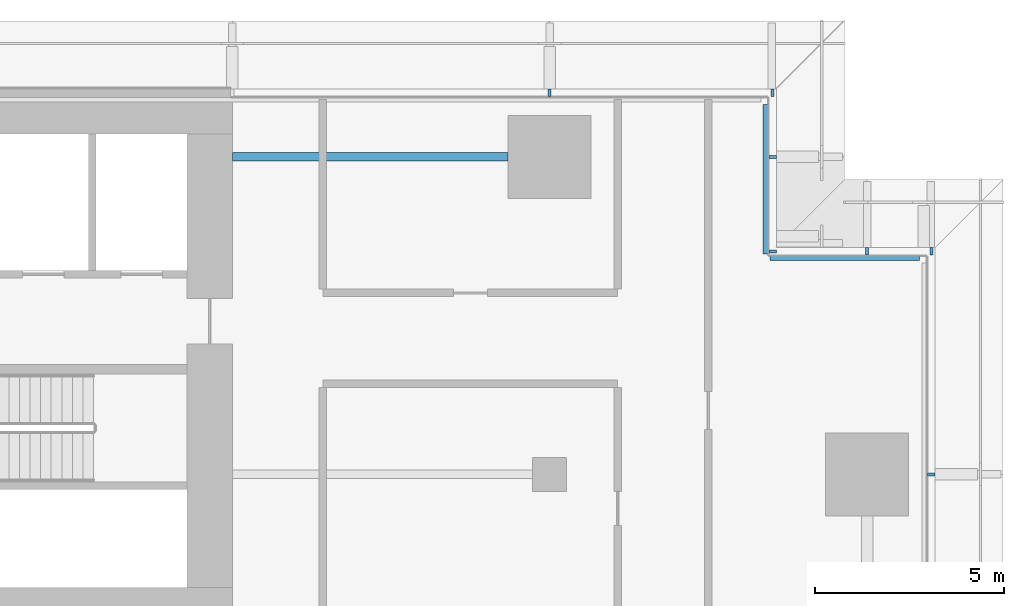
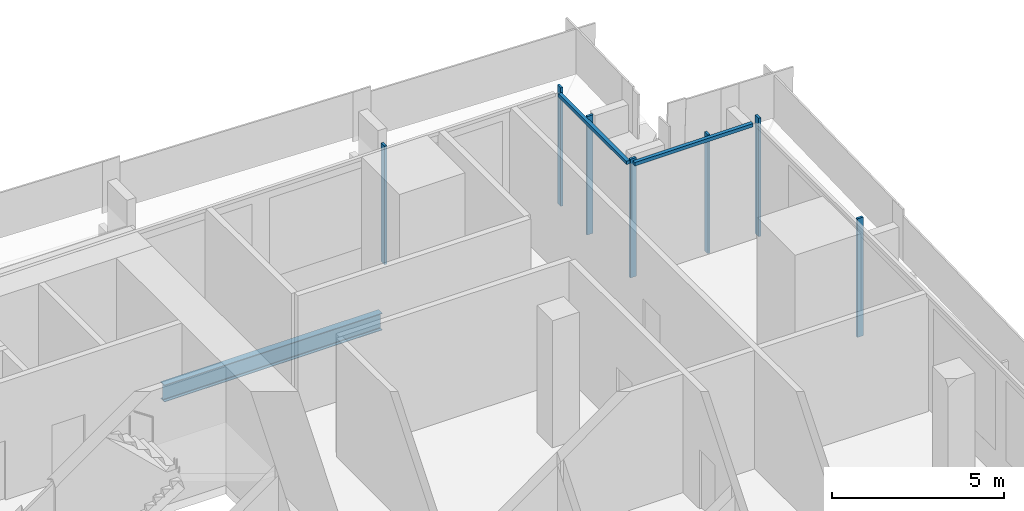
# One storey, part 10 of 23: 9 members, 1 beam, 4 elements without a shape of their own.
"""IFC4 building model written with IfcOpenShell, lengths in metres."""

from ifc_helpers import new_model, si_unit, direction, frame, origin, origin_2d, place, context, subcontext, project, spatial, rectangle, i_section, extrude, material, material_profile, profile_set, type_object, element, aggregate, save


model = new_model("IFC4")

# Units and contexts
model_context = context("Model", 3, precision=1e-05, world=origin(), true_north=direction((0.0, 1.0)))
body_context = subcontext(model_context, "Body", "Model", "MODEL_VIEW")
ifc_project = project(units=[si_unit("LENGTHUNIT", "METRE"), si_unit("AREAUNIT", "SQUARE_METRE"), si_unit("VOLUMEUNIT", "CUBIC_METRE"), si_unit("PLANEANGLEUNIT", "RADIAN"), si_unit("MASSUNIT", "GRAM", prefix="KILO")], contexts=[model_context])

# Site, building, storey
site_placement = place(None, origin())
site = spatial("IfcSite", under=ifc_project, at=site_placement, CompositionType="ELEMENT")
building_placement = place(site_placement, origin())
building = spatial("IfcBuilding", under=site, at=building_placement, Name="Saffron Gate Tower", CompositionType="ELEMENT")
storey_placement = place(building_placement, frame((0.0, 0.0, 23.699951171875)))
storey = spatial("IfcBuildingStorey", under=building, at=storey_placement, Name="L04", CompositionType="ELEMENT", Elevation=23.699951171875)

# Beam
ifc_material_1 = material(Name="Structural steel S355", Category="steel")
ifc_material_profile_1 = material_profile(ifc_material_1, i_section(OverallWidth=0.219970703125, OverallDepth=0.60009765625, WebThickness=0.011962890625, FlangeThickness=0.01904296875, FilletRadius=0.02392578125, at=origin_2d()))
ifc_profile_set_1 = profile_set([ifc_material_profile_1], Name="Structural steel S355")
beam_type = type_object("IfcBeamType", Name="B15 IPE 600", PredefinedType="BEAM", material=ifc_profile_set_1)
beam_placement = place(storey_placement, frame((115.89990234375, 73.800048828125, -0.599853515625), z_axis=(-1.0, 0.0, 0.0), x_axis=(0.0, -1.0, 0.0)))
element("IfcBeam", 1, at=beam_placement, inside=storey, type_object=beam_type, Name="B15 CORE TIE BEAM", PredefinedType="BEAM", context=body_context, shape_type="SweptSolid", body=[
    extrude(i_section(OverallWidth=0.219970703125, OverallDepth=0.60009765625, WebThickness=0.011962890625, FlangeThickness=0.01904296875, FilletRadius=0.02392578125, at=origin_2d()), origin(), (0.0, 0.0, 1.0), 7.2998046875),
])

# Curtain wall, member
ifc_material_2 = material(Name="Aluminium, bronze anodised", Category="aluminium")
curtain_wall_type = type_object("IfcCurtainWallType", Name="CWS6 curtain wall tall storeys", PredefinedType="NOTDEFINED", material=ifc_material_2)
curtain_wall_1_placement = place(storey_placement, origin())
curtain_wall_1 = element("IfcCurtainWall", 2, at=curtain_wall_1_placement, inside=storey, type_object=curtain_wall_type, Name="CWS6 run 5", PredefinedType="NOTDEFINED")
ifc_material_profile_2 = material_profile(ifc_material_2, rectangle(XDim=0.1201171875, YDim=0.1201171875, at=origin_2d()))
ifc_profile_set_2 = profile_set([ifc_material_profile_2], Name="Aluminium, bronze anodised")
member_type_1 = type_object("IfcMemberType", Name="CWS6 head transom", PredefinedType="USERDEFINED", material=ifc_profile_set_2)
member_1_placement = place(storey_placement, frame((126.7919921875, 71.112060546875, 4.14013671875), z_axis=(-1.0, 0.0, 0.0), x_axis=(0.0, -1.0, 0.0)))
member_1 = element("IfcMember", 3, at=member_1_placement, type_object=member_type_1, Name="CWS6 head transom", ObjectType="TRANSOM", PredefinedType="USERDEFINED", context=body_context, shape_type="SweptSolid", body=[
    extrude(rectangle(XDim=0.1201171875, YDim=0.1201171875, at=origin_2d()), origin(), (0.0, 0.0, 1.0), 3.9599609375),
])

curtain_wall_2_placement = place(storey_placement, origin())
curtain_wall_2 = element("IfcCurtainWall", 4, at=curtain_wall_2_placement, inside=storey, type_object=curtain_wall_type, Name="CWS6 run 6", PredefinedType="NOTDEFINED")
member_2_placement = place(storey_placement, frame((122.7119140625, 71.23193359375, 4.14013671875), z_axis=(0.0, 1.0, 0.0), x_axis=(-1.0, 0.0, 0.0)))
member_2 = element("IfcMember", 5, at=member_2_placement, type_object=member_type_1, Name="CWS6 head transom", ObjectType="TRANSOM", PredefinedType="USERDEFINED", context=body_context, shape_type="SweptSolid", body=[
    extrude(rectangle(XDim=0.1201171875, YDim=0.1201171875, at=origin_2d()), origin(), (0.0, 0.0, 1.0), 3.9599609375),
])

curtain_wall_3_placement = place(storey_placement, origin())
curtain_wall_3 = element("IfcCurtainWall", 6, at=curtain_wall_3_placement, inside=storey, type_object=curtain_wall_type, Name="CWS6 run 4", PredefinedType="NOTDEFINED")
ifc_material_profile_3 = material_profile(ifc_material_2, rectangle(XDim=0.199951171875, YDim=0.080078125, at=origin_2d()))
ifc_profile_set_3 = profile_set([ifc_material_profile_3], Name="Aluminium, bronze anodised")
member_type_2 = type_object("IfcMemberType", Name="CWS6 mullion 80x200", PredefinedType="MULLION", material=ifc_profile_set_3)
member_3_placement = place(storey_placement, frame((127.10009765625, 65.39990234375, 0.0), z_axis=(0.0, 0.0, 1.0), x_axis=(-1.0, 0.0, 0.0)))
member_3 = element("IfcMember", 7, at=member_3_placement, type_object=member_type_2, Name="CWS6 mullion 5", PredefinedType="MULLION", context=body_context, shape_type="SweptSolid", body=[
    extrude(rectangle(XDim=0.199951171875, YDim=0.080078125, at=origin_2d()), origin(), (0.0, 0.0, 1.0), 4.199951171875),
])
aggregate(curtain_wall_3, [member_3])

# Member
member_4_placement = place(storey_placement, frame((127.10009765625, 71.300048828125, 0.0), z_axis=(0.0, 0.0, 1.0), x_axis=(0.0, -1.0, 0.0)))
member_4 = element("IfcMember", 8, at=member_4_placement, type_object=member_type_2, Name="CWS6 mullion 1", PredefinedType="MULLION", context=body_context, shape_type="SweptSolid", body=[
    extrude(rectangle(XDim=0.199951171875, YDim=0.080078125, at=origin_2d()), origin(), (0.0, 0.0, 1.0), 4.199951171875),
])

member_5_placement = place(storey_placement, frame((125.39990234375, 71.300048828125, 0.0), z_axis=(0.0, 0.0, 1.0), x_axis=(0.0, -1.0, 0.0)))
member_5 = element("IfcMember", 9, at=member_5_placement, type_object=member_type_2, Name="CWS6 mullion 2", PredefinedType="MULLION", context=body_context, shape_type="SweptSolid", body=[
    extrude(rectangle(XDim=0.199951171875, YDim=0.080078125, at=origin_2d()), origin(), (0.0, 0.0, 1.0), 4.199951171875),
])

aggregate(curtain_wall_1, [member_4, member_5, member_1])

member_6_placement = place(storey_placement, frame((122.89990234375, 71.300048828125, 0.0), z_axis=(0.0, 0.0, 1.0), x_axis=(-1.0, 0.0, 0.0)))
member_6 = element("IfcMember", 10, at=member_6_placement, type_object=member_type_2, Name="CWS6 mullion 1", PredefinedType="MULLION", context=body_context, shape_type="SweptSolid", body=[
    extrude(rectangle(XDim=0.199951171875, YDim=0.080078125, at=origin_2d()), origin(), (0.0, 0.0, 1.0), 4.199951171875),
])

member_7_placement = place(storey_placement, frame((122.89990234375, 73.800048828125, 0.0), z_axis=(0.0, 0.0, 1.0), x_axis=(-1.0, 0.0, 0.0)))
member_7 = element("IfcMember", 11, at=member_7_placement, type_object=member_type_2, Name="CWS6 mullion 2", PredefinedType="MULLION", context=body_context, shape_type="SweptSolid", body=[
    extrude(rectangle(XDim=0.199951171875, YDim=0.080078125, at=origin_2d()), origin(), (0.0, 0.0, 1.0), 4.199951171875),
])

aggregate(curtain_wall_2, [member_6, member_7, member_2])

# Curtain wall, members
curtain_wall_4_placement = place(storey_placement, origin())
curtain_wall_4 = element("IfcCurtainWall", 12, at=curtain_wall_4_placement, inside=storey, type_object=curtain_wall_type, Name="CWS6 run 7", PredefinedType="NOTDEFINED")
member_8_placement = place(storey_placement, frame((122.89990234375, 75.5, 0.0), z_axis=(0.0, 0.0, 1.0), x_axis=(0.0, -1.0, 0.0)))
member_8 = element("IfcMember", 13, at=member_8_placement, type_object=member_type_2, Name="CWS6 mullion 1", PredefinedType="MULLION", context=body_context, shape_type="SweptSolid", body=[
    extrude(rectangle(XDim=0.199951171875, YDim=0.080078125, at=origin_2d()), origin(), (0.0, 0.0, 1.0), 4.199951171875),
])
member_9_placement = place(storey_placement, frame((117.0, 75.5, 0.0), z_axis=(0.0, 0.0, 1.0), x_axis=(0.0, -1.0, 0.0)))
member_9 = element("IfcMember", 14, at=member_9_placement, type_object=member_type_2, Name="CWS6 mullion 2", PredefinedType="MULLION", context=body_context, shape_type="SweptSolid", body=[
    extrude(rectangle(XDim=0.199951171875, YDim=0.080078125, at=origin_2d()), origin(), (0.0, 0.0, 1.0), 4.199951171875),
])
aggregate(curtain_wall_4, [member_8, member_9])

save(model, "model.ifc")
